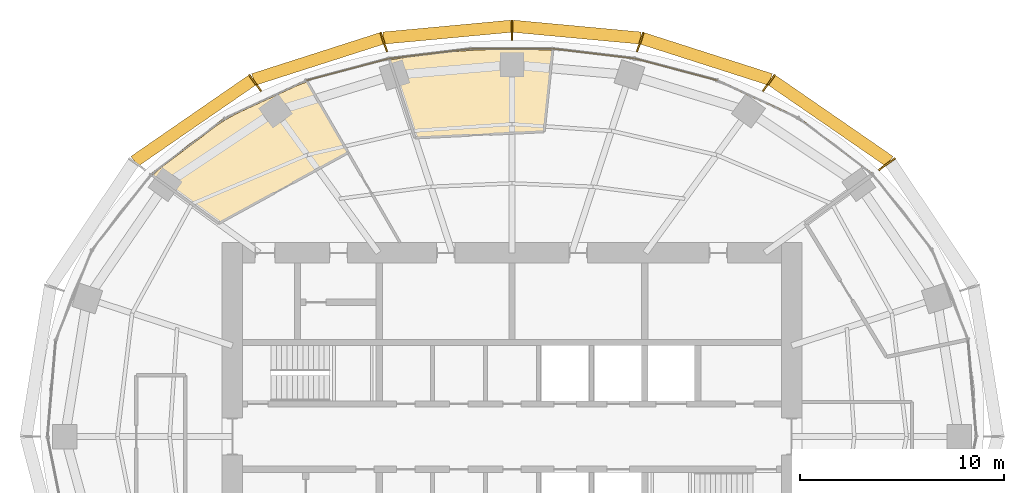
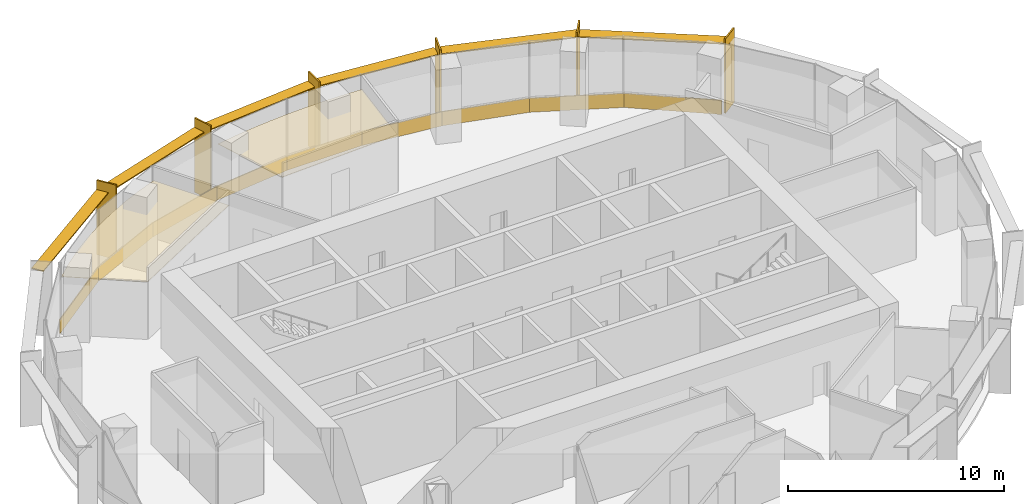
# One storey, part 13 of 13: 12 shading devices, 11 coverings.
"""IFC4 building model written with IfcOpenShell, lengths in metres."""

import ifcopenshell
import ifcopenshell.guid

model = None  # the IFC model being written
_history = None  # IfcOwnerHistory: only IFC2X3 demands one
_inside = {}  # id of a spatial element -> (the spatial element, [elements in it])
_under = {}  # id of a project, library or spatial element -> (it, [spatial elements below it])
_declared = {}  # id of a project -> (the project, [libraries it declares])
_typed = {}  # id of a type object -> (the type object, [elements of that type])
_made_of = {}  # id of a material, layer set ... -> (it, [elements and type objects made of it])


def new_model(schema):
    """Start an empty IFC model of exactly this schema.

    Asked for "IFC4X3", IfcOpenShell would pick the latest addendum, in which some entities
    have other attributes; the version numbers below select the first issue.
    IFC2X3 requires an IfcOwnerHistory on every rooted entity: one is made here for all.
    """
    global model, _history
    if schema == "IFC4X3":
        model = ifcopenshell.file(schema_version=(4, 3, 0, 0))
    else:
        model = ifcopenshell.file(schema=schema)
    _inside.clear()
    _under.clear()
    _declared.clear()
    _typed.clear()
    _made_of.clear()
    _history = None
    if model.schema == "IFC2X3":
        org = make("IfcOrganization", Name="unknown")
        user = make(
            "IfcPersonAndOrganization",
            ThePerson=make("IfcPerson", FamilyName="unknown"),
            TheOrganization=org,
        )
        app = make(
            "IfcApplication",
            ApplicationDeveloper=org,
            Version="unknown",
            ApplicationFullName="unknown",
            ApplicationIdentifier="unknown",
        )
        _history = make(
            "IfcOwnerHistory",
            OwningUser=user,
            OwningApplication=app,
            ChangeAction="ADDED",
            CreationDate=0,
        )
    return model


def make(cls, **values):
    """One entity of the class cls with the attributes given. An attribute that is None is left unset."""
    return model.create_entity(
        cls, **{name: value for name, value in values.items() if value is not None}
    )


def rooted(cls, **values):
    """An entity with a GlobalId (a new one), such as an element, a storey or a relation."""
    return make(cls, GlobalId=ifcopenshell.guid.new(), OwnerHistory=_history, **values)


def si_unit(unit_type, name, prefix=None):
    """IfcSIUnit, for example si_unit("LENGTHUNIT", "METRE", prefix="MILLI")."""
    return make("IfcSIUnit", UnitType=unit_type, Prefix=prefix, Name=name)


def assignment(units):
    """IfcUnitAssignment: the units of a project."""
    return None if units is None else make("IfcUnitAssignment", Units=units)


def point(xyz):
    """IfcCartesianPoint."""
    return None if xyz is None else make("IfcCartesianPoint", Coordinates=xyz)


def direction(xyz):
    """IfcDirection."""
    return None if xyz is None else make("IfcDirection", DirectionRatios=xyz)


def frame(location, z_axis=None, x_axis=None):
    """IfcAxis2Placement3D, a coordinate frame: its origin and axes. An axis left out is left unset."""
    return make(
        "IfcAxis2Placement3D",
        Location=point(location),
        Axis=direction(z_axis),
        RefDirection=direction(x_axis),
    )


def frame_2d(location, x_axis=None):
    """IfcAxis2Placement2D, a coordinate frame in the plane: its origin and x axis."""
    return make(
        "IfcAxis2Placement2D", Location=point(location), RefDirection=direction(x_axis)
    )


def origin():
    """The frame at (0, 0, 0) with its axes left unset."""
    return frame((0.0, 0.0, 0.0))


def origin_2d():
    """The frame at (0, 0) in the plane with its x axis left unset."""
    return frame_2d((0.0, 0.0))


def place(relative_to, where):
    """IfcLocalPlacement: puts the frame where relative to a parent placement (None: the world)."""
    return make(
        "IfcLocalPlacement", PlacementRelTo=relative_to, RelativePlacement=where
    )


def context(
    kind, dimensions, precision=None, world=None, true_north=None, identifier=None
):
    """IfcGeometricRepresentationContext, for example the 3D "Model" context."""
    return make(
        "IfcGeometricRepresentationContext",
        ContextIdentifier=identifier,
        ContextType=kind,
        CoordinateSpaceDimension=dimensions,
        Precision=precision,
        WorldCoordinateSystem=world,
        TrueNorth=true_north,
    )


def subcontext(parent, identifier, kind, view, scale=None):
    """IfcGeometricRepresentationSubContext, for example "Body" below "Model"."""
    return make(
        "IfcGeometricRepresentationSubContext",
        ContextIdentifier=identifier,
        ContextType=kind,
        ParentContext=parent,
        TargetScale=scale,
        TargetView=view,
    )


def project(units=None, contexts=None):
    """IfcProject with its units and contexts."""
    return rooted(
        "IfcProject",
        Name="project",
        RepresentationContexts=contexts,
        UnitsInContext=assignment(units),
    )


def spatial(cls, under=None, at=None, **own):
    """A site, building, storey or space (cls), placed at a placement, below another one or the project."""
    s = rooted(cls, ObjectPlacement=at, **own)
    if under is not None:
        _under.setdefault(under.id(), (under, []))[1].append(s)
    return s


def polyline(points):
    """IfcPolyline through the points."""
    return make("IfcPolyline", Points=[point(p) for p in points])


def profile(cls, at=None, kind="AREA", **sizes):
    """A parametric profile (cls). Its sizes go by their IFC names, for example OverallWidth=200.0."""
    return make(cls, ProfileType=kind, Position=at, **sizes)


def rectangle(**sizes):
    """IfcRectangleProfileDef."""
    return profile("IfcRectangleProfileDef", **sizes)


def outline(outer, holes=None, kind="AREA"):
    """IfcArbitraryClosedProfileDef: a profile drawn as a closed curve; with holes, ...WithVoids."""
    if holes is None:
        return make("IfcArbitraryClosedProfileDef", ProfileType=kind, OuterCurve=outer)
    return make(
        "IfcArbitraryProfileDefWithVoids",
        ProfileType=kind,
        OuterCurve=outer,
        InnerCurves=holes,
    )


def extrude(swept, where, along, depth):
    """IfcExtrudedAreaSolid: the profile swept, set in the frame where, extruded along a direction by depth."""
    return make(
        "IfcExtrudedAreaSolid",
        SweptArea=swept,
        Position=where,
        ExtrudedDirection=direction(along),
        Depth=depth,
    )


def shape(context_of_items, identifier, shape_type, items):
    """IfcShapeRepresentation: the items that make up one representation, for example the "Body"."""
    return make(
        "IfcShapeRepresentation",
        ContextOfItems=context_of_items,
        RepresentationIdentifier=identifier,
        RepresentationType=shape_type,
        Items=items,
    )


def material(Name=None, Category=None):
    """IfcMaterial."""
    return make("IfcMaterial", Name=Name, Category=Category)


def layer(
    of_material, thickness, ventilated=None, Name=None, Category=None, Priority=None
):
    """IfcMaterialLayer: one layer of a wall or slab, of a material (None: an air gap)."""
    return make(
        "IfcMaterialLayer",
        Material=of_material,
        LayerThickness=thickness,
        IsVentilated=ventilated,
        Name=Name,
        Category=Category,
        Priority=Priority,
    )


def layer_set(layers, Name=None):
    """IfcMaterialLayerSet."""
    return make("IfcMaterialLayerSet", MaterialLayers=layers, LayerSetName=Name)


def made_of(thing, what):
    """Note that an element or type object is made of a material, layer set ...; save() writes the relation."""
    if what is not None:
        _made_of.setdefault(what.id(), (what, []))[1].append(thing)
    return thing


def type_object(cls, material=None, **own):
    """A type object (cls), such as IfcWallType, which elements share."""
    return made_of(rooted(cls, **own), material)


def element(
    cls,
    number,
    at=None,
    inside=None,
    cuts=None,
    type_object=None,
    material=None,
    context=None,
    identifier="Body",
    shape_type=None,
    held_by="IfcProductDefinitionShape",
    body=None,
    shapes=None,
    **own,
):
    """One element of the class cls, such as IfcWall. Its Tag is "e" and its number.

    at: its placement. inside: the storey or other place that contains it. cuts: it is an
    opening in that element (IfcRelVoidsElement). A single representation is given by context,
    identifier, shape_type and body (its items); several are given by shapes. held_by: the class
    of the entity that holds the representations. save() writes the other relations.
    """
    e = rooted(cls, Tag="e%d" % number, ObjectPlacement=at, **own)
    if body is not None:
        shapes = [shape(context, identifier, shape_type, body)]
    if shapes is not None:
        e.Representation = make(held_by, Representations=shapes)
    if inside is not None:
        _inside.setdefault(inside.id(), (inside, []))[1].append(e)
    if cuts is not None:
        rooted(
            "IfcRelVoidsElement", RelatingBuildingElement=cuts, RelatedOpeningElement=e
        )
    if type_object is not None:
        _typed.setdefault(type_object.id(), (type_object, []))[1].append(e)
    return made_of(e, material)


def aggregate(whole, parts):
    """IfcRelAggregates: a whole, such as a stair, and the parts it consists of."""
    return rooted("IfcRelAggregates", RelatingObject=whole, RelatedObjects=parts)


def save(model, path):
    """Write the relations noted so far, then the file.

    IfcRelAggregates (storeys below a building ...), IfcRelContainedInSpatialStructure (elements
    in a storey), IfcRelDefinesByType, IfcRelAssociatesMaterial and IfcRelDeclares: one each for
    every whole, place, type object, material and project.
    """
    for whole, parts in _under.values():
        aggregate(whole, parts)
    for where, things in _inside.values():
        rooted(
            "IfcRelContainedInSpatialStructure",
            RelatedElements=things,
            RelatingStructure=where,
        )
    for kind, things in _typed.values():
        rooted("IfcRelDefinesByType", RelatedObjects=things, RelatingType=kind)
    for what, things in _made_of.values():
        rooted("IfcRelAssociatesMaterial", RelatedObjects=things, RelatingMaterial=what)
    for by, libraries in _declared.values():
        rooted("IfcRelDeclares", RelatingContext=by, RelatedDefinitions=libraries)
    model.write(path)


model = new_model("IFC4")

# Units and contexts
model_context = context("Model", 3, precision=1e-05, world=origin(), true_north=direction((0.0, 1.0)))
body_context = subcontext(model_context, "Body", "Model", "MODEL_VIEW")
ifc_project = project(units=[si_unit("LENGTHUNIT", "METRE"), si_unit("AREAUNIT", "SQUARE_METRE"), si_unit("VOLUMEUNIT", "CUBIC_METRE"), si_unit("PLANEANGLEUNIT", "RADIAN"), si_unit("MASSUNIT", "GRAM", prefix="KILO")], contexts=[model_context])

# Site, building, storey
site_placement = place(None, origin())
site = spatial("IfcSite", under=ifc_project, at=site_placement, CompositionType="ELEMENT")
building_placement = place(site_placement, origin())
building = spatial("IfcBuilding", under=site, at=building_placement, Name="Marramba Exchange Tower", CompositionType="ELEMENT")
storey_placement = place(building_placement, frame((0.0, 0.0, 256.0)))
storey = spatial("IfcBuildingStorey", under=building, at=storey_placement, Name="L62", CompositionType="ELEMENT", Elevation=256.0)

# Shading devices
ifc_material_1 = material(Name="Aluminium blade, timber-look bronze finish", Category="wood")
ifc_layer_1 = layer(ifc_material_1, 0.080078125)
ifc_layer_set_1 = layer_set([ifc_layer_1], Name="Floor-edge blade 1000x80")
shading_device_type_1 = type_object("IfcShadingDeviceType", Name="Floor-edge blade 1000x80", PredefinedType="USERDEFINED", material=ifc_layer_set_1)
for number, where, z_axis, x_axis, name in (
    (1, (18.361083984375, 13.340087890625, -0.16015625), (0.0, 0.0, 1.0), (0.809016994375, 0.587785252292, 0.0), "Floor-edge blade FB1 L62 TC03"),
    (2, (12.58056640625, 17.315673828125, -0.16015625), (0.0, 0.0, 1.0), (0.587785252292, 0.809016994375, 0.0), "Floor-edge blade FB1 L62 TC04"),
    (3, (6.279296875, 19.325439453125, -0.16015625), (0.0, 0.0, 1.0), (0.309016994375, 0.951056516295, 0.0), "Floor-edge blade FB1 L62 TC05"),
    (4, (0.0, 19.904052734375, -0.16015625), (0.0, 0.0, 1.0), (0.0, 1.0, 0.0), "Floor-edge blade FB1 L62 TC06"),
    (5, (-6.279296875, 19.325439453125, -0.16015625), (0.0, 0.0, 1.0), (-0.309016994375, 0.951056516295, 0.0), "Floor-edge blade FB1 L62 TC07"),
    (6, (-12.58056640625, 17.315673828125, -0.16015625), (0.0, 0.0, 1.0), (-0.587785252292, 0.809016994375, 0.0), "Floor-edge blade FB1 L62 TC08"),
):
    element("IfcShadingDevice", number, at=place(storey_placement, frame(where, z_axis=z_axis, x_axis=x_axis)), inside=storey, type_object=shading_device_type_1, Name=name, ObjectType="FIN", PredefinedType="USERDEFINED", context=body_context, shape_type="SweptSolid", body=[
        extrude(rectangle(XDim=1.0, YDim=0.080078125, at=origin_2d()), origin(), (0.0, 0.0, 1.0), 4.199951171875),
    ])
ifc_material_2 = material(Name="Aluminium sunshade, bronze anodised", Category="aluminium")
ifc_layer_2 = layer(ifc_material_2, 0.06005859375)
ifc_layer_set_2 = layer_set([ifc_layer_2], Name="SUNSHADE blade 600x60")
shading_device_type_2 = type_object("IfcShadingDeviceType", Name="SUNSHADE blade 600x60", PredefinedType="USERDEFINED", material=ifc_layer_set_2)
shading_device_1_placement = place(storey_placement, frame((15.610595703125, 15.467529296875, 3.4599609375), z_axis=(0.0, 0.0, 1.0), x_axis=(-0.823024460267, 0.568005931134, 0.0)))
element("IfcShadingDevice", 7, at=shading_device_1_placement, inside=storey, type_object=shading_device_type_2, Name="Sunshade SS1 L62 bay 03", ObjectType="SUNSHADE", PredefinedType="USERDEFINED", context=body_context, shape_type="SweptSolid", body=[
    extrude(rectangle(XDim=6.9970703125, YDim=0.60009765625, at=origin_2d()), origin(), (0.0, 0.0, 1.0), 0.06005859375),
])
shading_device_2_placement = place(storey_placement, frame((9.51953125, 18.49658203125, 3.4599609375), z_axis=(0.0, 0.0, 1.0), x_axis=(-0.952259596472, 0.30528947071, 0.0)))
element("IfcShadingDevice", 8, at=shading_device_2_placement, inside=storey, type_object=shading_device_type_2, Name="Sunshade SS1 L62 bay 04", ObjectType="SUNSHADE", PredefinedType="USERDEFINED", context=body_context, shape_type="SweptSolid", body=[
    extrude(rectangle(XDim=6.595947265625, YDim=0.60009765625, at=origin_2d()), origin(), (0.0, 0.0, 1.0), 0.06005859375),
])
for number, where, z_axis, x_axis, name in (
    (9, (3.17041015625, 19.809814453125, 3.4599609375), (0.0, 0.0, 1.0), (-0.995722269911, 0.092396759698, 0.0), "Sunshade SS1 L62 bay 05"),
    (10, (-3.17041015625, 19.809814453125, 3.4599609375), (0.0, 0.0, 1.0), (-0.995722269911, -0.092396759698, 0.0), "Sunshade SS1 L62 bay 06"),
):
    element("IfcShadingDevice", number, at=place(storey_placement, frame(where, z_axis=z_axis, x_axis=x_axis)), inside=storey, type_object=shading_device_type_2, Name=name, ObjectType="SUNSHADE", PredefinedType="USERDEFINED", context=body_context, shape_type="SweptSolid", body=[
        extrude(rectangle(XDim=6.288330078125, YDim=0.60009765625, at=origin_2d()), origin(), (0.0, 0.0, 1.0), 0.06005859375),
    ])
shading_device_3_placement = place(storey_placement, frame((-9.51953125, 18.49658203125, 3.4599609375), z_axis=(0.0, 0.0, 1.0), x_axis=(-0.952259596472, -0.30528947071, 0.0)))
element("IfcShadingDevice", 11, at=shading_device_3_placement, inside=storey, type_object=shading_device_type_2, Name="Sunshade SS1 L62 bay 07", ObjectType="SUNSHADE", PredefinedType="USERDEFINED", context=body_context, shape_type="SweptSolid", body=[
    extrude(rectangle(XDim=6.595947265625, YDim=0.60009765625, at=origin_2d()), origin(), (0.0, 0.0, 1.0), 0.06005859375),
])
shading_device_4_placement = place(storey_placement, frame((-15.610595703125, 15.467529296875, 3.4599609375), z_axis=(0.0, 0.0, 1.0), x_axis=(-0.823024460267, -0.568005931134, 0.0)))
element("IfcShadingDevice", 12, at=shading_device_4_placement, inside=storey, type_object=shading_device_type_2, Name="Sunshade SS1 L62 bay 08", ObjectType="SUNSHADE", PredefinedType="USERDEFINED", context=body_context, shape_type="SweptSolid", body=[
    extrude(rectangle(XDim=6.9970703125, YDim=0.60009765625, at=origin_2d()), origin(), (0.0, 0.0, 1.0), 0.06005859375),
])

# Coverings
ifc_material_3 = material(Name="Aluminium spandrel panel, bronze anodised, insulated", Category="aluminium")
ifc_layer_3 = layer(ifc_material_3, 0.050048828125)
ifc_layer_set_3 = layer_set([ifc_layer_3], Name="Spandrel panel 800")
covering_type_1 = type_object("IfcCoveringType", Name="Spandrel panel 800", PredefinedType="CLADDING", material=ifc_layer_set_3)
covering_1_placement = place(storey_placement, frame((15.859375, 14.2197265625, 0.0), z_axis=(0.0, 0.0, 1.0), x_axis=(-0.796058898731, 0.605219158447, 0.0)))
element("IfcCovering", 13, at=covering_1_placement, inside=storey, type_object=covering_type_1, Name="Spandrel panel SP1 L62 F04", PredefinedType="CLADDING", context=body_context, shape_type="SweptSolid", body=[
    extrude(rectangle(XDim=4.5576171875, YDim=0.050048828125, at=origin_2d()), origin(), (0.0, 0.0, 1.0), 0.800048828125),
])
covering_2_placement = place(storey_placement, frame((12.057861328125, 16.520751953125, 0.0), z_axis=(0.0, 0.0, 1.0), x_axis=(-0.907130582029, 0.420849268918, 0.0)))
element("IfcCovering", 14, at=covering_2_placement, inside=storey, type_object=covering_type_1, Name="Spandrel panel SP1 L62 F05", PredefinedType="CLADDING", context=body_context, shape_type="SweptSolid", body=[
    extrude(rectangle(XDim=4.381591796875, YDim=0.050048828125, at=origin_2d()), origin(), (0.0, 0.0, 1.0), 0.800048828125),
])
covering_3_placement = place(storey_placement, frame((8.04345703125, 17.97998046875, 0.0), z_axis=(0.0, 0.0, 1.0), x_axis=(-0.966643517403, 0.256125575184, 0.0)))
element("IfcCovering", 15, at=covering_3_placement, inside=storey, type_object=covering_type_1, Name="Spandrel panel SP1 L62 F06", PredefinedType="CLADDING", context=body_context, shape_type="SweptSolid", body=[
    extrude(rectangle(XDim=4.194091796875, YDim=0.050048828125, at=origin_2d()), origin(), (0.0, 0.0, 1.0), 0.800048828125),
])
covering_4_placement = place(storey_placement, frame((4.006591796875, 18.757080078125, 0.0), z_axis=(0.0, 0.0, 1.0), x_axis=(-0.992947252913, 0.118556960709, 0.0)))
element("IfcCovering", 16, at=covering_4_placement, inside=storey, type_object=covering_type_1, Name="Spandrel panel SP1 L62 F07", PredefinedType="CLADDING", context=body_context, shape_type="SweptSolid", body=[
    extrude(rectangle(XDim=4.04833984375, YDim=0.050048828125, at=origin_2d()), origin(), (0.0, 0.0, 1.0), 0.800048828125),
])
covering_5_placement = place(storey_placement, frame((0.0, 18.9970703125, 0.0), z_axis=(0.0, 0.0, 1.0), x_axis=(-1.0, 0.0, 0.0)))
element("IfcCovering", 17, at=covering_5_placement, inside=storey, type_object=covering_type_1, Name="Spandrel panel SP1 L62 F08", PredefinedType="CLADDING", context=body_context, shape_type="SweptSolid", body=[
    extrude(rectangle(XDim=3.993408203125, YDim=0.050048828125, at=origin_2d()), origin(), (0.0, 0.0, 1.0), 0.800048828125),
])
covering_6_placement = place(storey_placement, frame((-4.006591796875, 18.757080078125, 0.0), z_axis=(0.0, 0.0, 1.0), x_axis=(-0.992947252913, -0.118556960709, 0.0)))
element("IfcCovering", 18, at=covering_6_placement, inside=storey, type_object=covering_type_1, Name="Spandrel panel SP1 L62 F09", PredefinedType="CLADDING", context=body_context, shape_type="SweptSolid", body=[
    extrude(rectangle(XDim=4.04833984375, YDim=0.050048828125, at=origin_2d()), origin(), (0.0, 0.0, 1.0), 0.800048828125),
])
covering_7_placement = place(storey_placement, frame((-8.04345703125, 17.97998046875, 0.0), z_axis=(0.0, 0.0, 1.0), x_axis=(-0.966643517403, -0.256125575184, 0.0)))
element("IfcCovering", 19, at=covering_7_placement, inside=storey, type_object=covering_type_1, Name="Spandrel panel SP1 L62 F10", PredefinedType="CLADDING", context=body_context, shape_type="SweptSolid", body=[
    extrude(rectangle(XDim=4.194091796875, YDim=0.050048828125, at=origin_2d()), origin(), (0.0, 0.0, 1.0), 0.800048828125),
])
covering_8_placement = place(storey_placement, frame((-12.057861328125, 16.520751953125, 0.0), z_axis=(0.0, 0.0, 1.0), x_axis=(-0.907130582029, -0.420849268918, 0.0)))
element("IfcCovering", 20, at=covering_8_placement, inside=storey, type_object=covering_type_1, Name="Spandrel panel SP1 L62 F11", PredefinedType="CLADDING", context=body_context, shape_type="SweptSolid", body=[
    extrude(rectangle(XDim=4.381591796875, YDim=0.050048828125, at=origin_2d()), origin(), (0.0, 0.0, 1.0), 0.800048828125),
])
covering_9_placement = place(storey_placement, frame((-15.859375, 14.2197265625, 0.0), z_axis=(0.0, 0.0, 1.0), x_axis=(-0.796058898731, -0.605219158447, 0.0)))
element("IfcCovering", 21, at=covering_9_placement, inside=storey, type_object=covering_type_1, Name="Spandrel panel SP1 L62 F12", PredefinedType="CLADDING", context=body_context, shape_type="SweptSolid", body=[
    extrude(rectangle(XDim=4.5576171875, YDim=0.050048828125, at=origin_2d()), origin(), (0.0, 0.0, 1.0), 0.800048828125),
])
ifc_material_4 = material(Name="Mineral fibre ceiling tiles", Category="gypsum")
ifc_layer_4 = layer(ifc_material_4, 0.02001953125)
ifc_layer_set_4 = layer_set([ifc_layer_4], Name="Suspended ceiling 20")
covering_type_2 = type_object("IfcCoveringType", Name="Suspended ceiling 20", PredefinedType="CEILING", material=ifc_layer_set_4)
covering_10_placement = place(storey_placement, frame((0.0, 0.0, 3.199951171875)))
element("IfcCovering", 22, at=covering_10_placement, inside=storey, type_object=covering_type_2, Name="Ceiling CL1 L62 Executive Office 1", PredefinedType="CEILING", context=body_context, shape_type="SweptSolid", body=[
    extrude(outline(polyline([(-4.986328125, 18.609375), (-4.7216796875, 18.644775390625), (-3.984130859375, 18.74365234375), (-2.98486328125, 18.845703125), (-1.98828125, 18.91748046875), (-1.654296875, 18.931640625), (-0.99365234375, 18.9599609375), (0.0, 18.97412109375), (0.99365234375, 18.9599609375), (1.654296875, 18.931640625), (1.98828125, 18.91748046875), (1.5703125, 14.939208984375), (-4.755615234375, 14.63671875), (-5.99169921875, 18.44091796875), (-4.986328125, 18.609375)])), origin(), (0.0, 0.0, 1.0), 0.02001953125),
])
covering_11_placement = place(storey_placement, frame((0.0, 0.0, 3.199951171875)))
element("IfcCovering", 23, at=covering_11_placement, inside=storey, type_object=covering_type_2, Name="Ceiling CL1 L62 Executive Office 2", PredefinedType="CEILING", context=body_context, shape_type="SweptSolid", body=[
    extrude(outline(polyline([(-17.3798828125, 13.001708984375), (-16.756591796875, 13.569091796875), (-16.344482421875, 13.900390625), (-15.865478515625, 14.285400390625), (-14.94189453125, 14.94189453125), (-14.185302734375, 15.41748046875), (-13.99169921875, 15.539306640625), (-13.020751953125, 16.079345703125), (-12.440673828125, 16.36376953125), (-12.033935546875, 16.563232421875), (-11.724853515625, 16.69677734375), (-11.035888671875, 16.993896484375), (-10.413818359375, 17.228759765625), (-10.030517578125, 17.37353515625), (-9.858642578125, 17.07568359375), (-8.030517578125, 13.909423828125), (-14.37255859375, 10.4423828125), (-17.608642578125, 12.79345703125), (-17.3798828125, 13.001708984375)])), origin(), (0.0, 0.0, 1.0), 0.02001953125),
])

save(model, "model.ifc")
